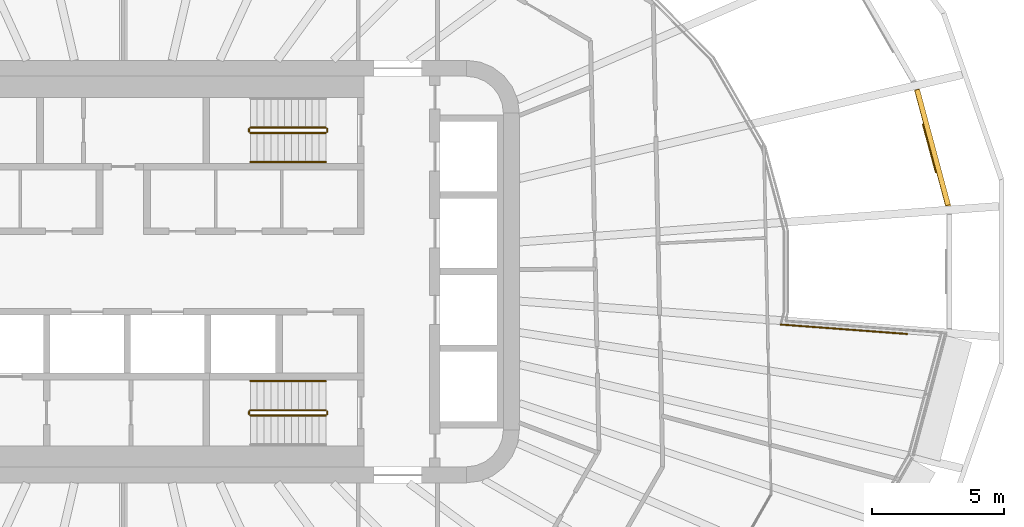
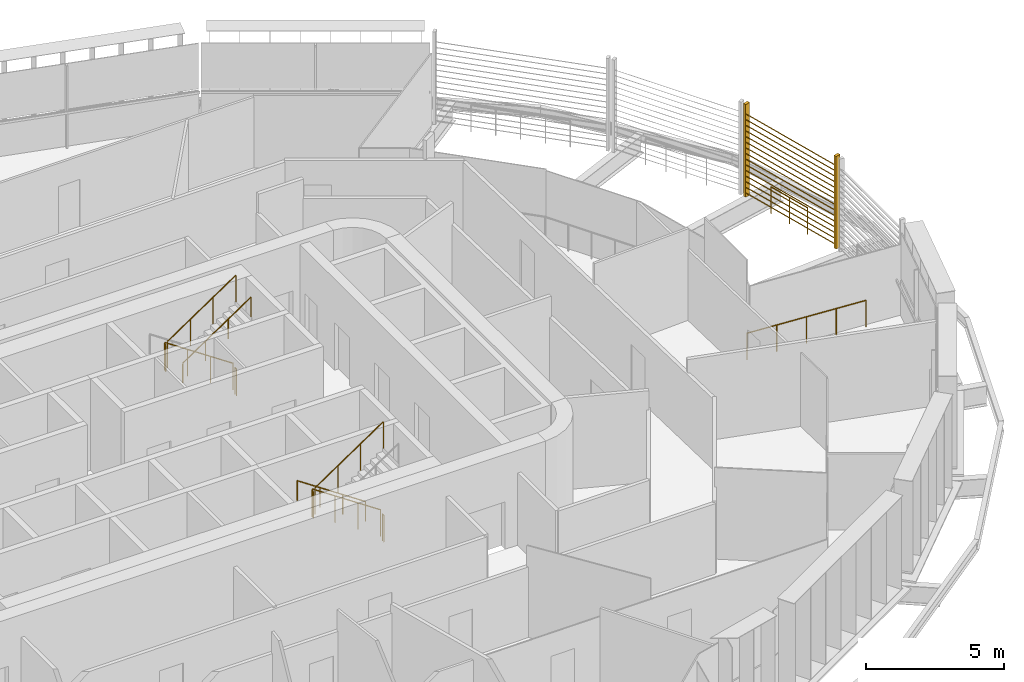
# One storey, part 22 of 24: 12 railings, 1 shading device.
"""IFC4 building model written with IfcOpenShell, lengths in metres."""

from ifc_helpers import new_model, si_unit, direction, frame, origin, origin_2d, place, context, subcontext, project, spatial, rectangle, circle, extrude, material, type_object, element, save


model = new_model("IFC4")

# Units and contexts
model_context = context("Model", 3, precision=1e-05, world=origin(), true_north=direction((0.0, 1.0)))
body_context = subcontext(model_context, "Body", "Model", "MODEL_VIEW")
ifc_project = project(units=[si_unit("LENGTHUNIT", "METRE"), si_unit("AREAUNIT", "SQUARE_METRE"), si_unit("VOLUMEUNIT", "CUBIC_METRE"), si_unit("PLANEANGLEUNIT", "RADIAN"), si_unit("MASSUNIT", "GRAM", prefix="KILO")], contexts=[model_context])

# Site, building, storey
site_placement = place(None, origin())
site = spatial("IfcSite", under=ifc_project, at=site_placement, CompositionType="ELEMENT")
building_placement = place(site_placement, origin())
building = spatial("IfcBuilding", under=site, at=building_placement, Name="Sahrelin Media Tower", CompositionType="ELEMENT")
storey_placement = place(building_placement, frame((0.0, 0.0, 71.39990234375)))
storey = spatial("IfcBuildingStorey", under=building, at=storey_placement, Name="L12", CompositionType="ELEMENT", Elevation=71.39990234375)

# Shading device
ifc_material_1 = material(Name="Champagne anodised aluminium 6063-T6", Category="aluminium")
shading_device_type = type_object("IfcShadingDeviceType", Name="Garden screen", PredefinedType="USERDEFINED", material=ifc_material_1)
shading_device_placement = place(storey_placement, frame((30.54736328125, 4.67333984375, 0.0), z_axis=(0.0, 0.0, 1.0), x_axis=(0.258807731996, -0.965928857556, 0.0)))
element("IfcShadingDevice", 1, at=shading_device_placement, inside=storey, type_object=shading_device_type, Name="L12:SCREEN:L12-01", ObjectType="SCREEN", PredefinedType="USERDEFINED", context=body_context, shape_type="SweptSolid", body=[
    extrude(rectangle(XDim=0.1201171875, YDim=0.199951171875, at=origin_2d()), frame((2.321533203125, 0.10009765625, 0.050048828125), z_axis=(0.0, 0.0, 1.0), x_axis=(1.0, 0.0, 0.0)), (0.0, 0.0, 1.0), 4.099853515625),
    extrude(rectangle(XDim=0.1201171875, YDim=0.199951171875, at=origin_2d()), frame((-2.321533203125, 0.10009765625, 0.050048828125), z_axis=(0.0, 0.0, 1.0), x_axis=(1.0, 0.0, 0.0)), (0.0, 0.0, 1.0), 4.099853515625),
    extrude(rectangle(XDim=0.25, YDim=0.02001953125, at=origin_2d()), frame((2.261474609375, 0.10009765625, 0.14990234375), z_axis=(-1.0, 0.0, 0.0), x_axis=(0.0, -0.766044443119, 0.642787609687)), (0.0, 0.0, 1.0), 4.52294921875),
    extrude(rectangle(XDim=0.25, YDim=0.02001953125, at=origin_2d()), frame((2.261474609375, 0.10009765625, 0.39990234375), z_axis=(-1.0, 0.0, 0.0), x_axis=(0.0, -0.766044443119, 0.642787609687)), (0.0, 0.0, 1.0), 4.52294921875),
    extrude(rectangle(XDim=0.25, YDim=0.02001953125, at=origin_2d()), frame((2.261474609375, 0.10009765625, 0.64990234375), z_axis=(-1.0, 0.0, 0.0), x_axis=(0.0, -0.766044443119, 0.642787609687)), (0.0, 0.0, 1.0), 4.52294921875),
    extrude(rectangle(XDim=0.25, YDim=0.02001953125, at=origin_2d()), frame((2.261474609375, 0.10009765625, 0.89990234375), z_axis=(-1.0, 0.0, 0.0), x_axis=(0.0, -0.766044443119, 0.642787609687)), (0.0, 0.0, 1.0), 4.52294921875),
    extrude(rectangle(XDim=0.25, YDim=0.02001953125, at=origin_2d()), frame((2.261474609375, 0.10009765625, 1.14990234375), z_axis=(-1.0, 0.0, 0.0), x_axis=(0.0, -0.766044443119, 0.642787609687)), (0.0, 0.0, 1.0), 4.52294921875),
    extrude(rectangle(XDim=0.25, YDim=0.02001953125, at=origin_2d()), frame((2.261474609375, 0.10009765625, 1.39990234375), z_axis=(-1.0, 0.0, 0.0), x_axis=(0.0, -0.766044443119, 0.642787609687)), (0.0, 0.0, 1.0), 4.52294921875),
    extrude(rectangle(XDim=0.25, YDim=0.02001953125, at=origin_2d()), frame((2.261474609375, 0.10009765625, 1.64990234375), z_axis=(-1.0, 0.0, 0.0), x_axis=(0.0, -0.766044443119, 0.642787609687)), (0.0, 0.0, 1.0), 4.52294921875),
    extrude(rectangle(XDim=0.25, YDim=0.02001953125, at=origin_2d()), frame((2.261474609375, 0.10009765625, 1.89990234375), z_axis=(-1.0, 0.0, 0.0), x_axis=(0.0, -0.766044443119, 0.642787609687)), (0.0, 0.0, 1.0), 4.52294921875),
    extrude(rectangle(XDim=0.25, YDim=0.02001953125, at=origin_2d()), frame((2.261474609375, 0.10009765625, 2.14990234375), z_axis=(-1.0, 0.0, 0.0), x_axis=(0.0, -0.766044443119, 0.642787609687)), (0.0, 0.0, 1.0), 4.52294921875),
    extrude(rectangle(XDim=0.25, YDim=0.02001953125, at=origin_2d()), frame((2.261474609375, 0.10009765625, 2.39990234375), z_axis=(-1.0, 0.0, 0.0), x_axis=(0.0, -0.766044443119, 0.642787609687)), (0.0, 0.0, 1.0), 4.52294921875),
    extrude(rectangle(XDim=0.25, YDim=0.02001953125, at=origin_2d()), frame((2.261474609375, 0.10009765625, 2.64990234375), z_axis=(-1.0, 0.0, 0.0), x_axis=(0.0, -0.766044443119, 0.642787609687)), (0.0, 0.0, 1.0), 4.52294921875),
    extrude(rectangle(XDim=0.25, YDim=0.02001953125, at=origin_2d()), frame((2.261474609375, 0.10009765625, 2.89990234375), z_axis=(-1.0, 0.0, 0.0), x_axis=(0.0, -0.766044443119, 0.642787609687)), (0.0, 0.0, 1.0), 4.52294921875),
    extrude(rectangle(XDim=0.25, YDim=0.02001953125, at=origin_2d()), frame((2.261474609375, 0.10009765625, 3.14990234375), z_axis=(-1.0, 0.0, 0.0), x_axis=(0.0, -0.766044443119, 0.642787609687)), (0.0, 0.0, 1.0), 4.52294921875),
    extrude(rectangle(XDim=0.25, YDim=0.02001953125, at=origin_2d()), frame((2.261474609375, 0.10009765625, 3.39990234375), z_axis=(-1.0, 0.0, 0.0), x_axis=(0.0, -0.766044443119, 0.642787609687)), (0.0, 0.0, 1.0), 4.52294921875),
    extrude(rectangle(XDim=0.25, YDim=0.02001953125, at=origin_2d()), frame((2.261474609375, 0.10009765625, 3.64990234375), z_axis=(-1.0, 0.0, 0.0), x_axis=(0.0, -0.766044443119, 0.642787609687)), (0.0, 0.0, 1.0), 4.52294921875),
])

# Railings
ifc_material_2 = material(Name="Stainless steel 316", Category="steel")
railing_type_1 = type_object("IfcRailingType", Name="Sky garden guard", PredefinedType="GUARDRAIL", material=ifc_material_2)
railing_1_placement = place(storey_placement, frame((30.283203125, 5.572998046875, 0.0)))
element("IfcRailing", 2, at=railing_1_placement, inside=storey, type_object=railing_type_1, Name="Sky garden void guard G1-4", PredefinedType="GUARDRAIL", context=body_context, shape_type="SweptSolid", body=[
    extrude(circle(Radius=0.02392578125, at=origin_2d()), frame((0.0, 0.0, 1.17578125), z_axis=(0.258731748287, -0.965949213172, 0.0), x_axis=(0.965949213172, 0.258731748287, 0.0)), (0.0, 0.0, 1.0), 1.8759765625),
    extrude(circle(Radius=0.02099609375, at=origin_2d()), origin(), (0.0, 0.0, 1.0), 1.15185546875),
    extrude(circle(Radius=0.02099609375, at=origin_2d()), frame((0.24267578125, -0.906005859375, 0.0)), (0.0, 0.0, 1.0), 1.15185546875),
    extrude(circle(Radius=0.02099609375, at=origin_2d()), frame((0.4853515625, -1.81201171875, 0.0)), (0.0, 0.0, 1.0), 1.15185546875),
])
railing_2_placement = place(storey_placement, frame((29.680419921875, -2.363525390625, 0.0)))
element("IfcRailing", 3, at=railing_2_placement, inside=storey, type_object=railing_type_1, Name="Sky garden void guard G1-6", PredefinedType="GUARDRAIL", context=body_context, shape_type="SweptSolid", body=[
    extrude(circle(Radius=0.02392578125, at=origin_2d()), frame((0.0, 0.0, 1.17578125), z_axis=(-0.997229865925, 0.074381412376, 0.0), x_axis=(-0.074381412376, -0.997229865925, 0.0)), (0.0, 0.0, 1.0), 4.798583984375),
    extrude(circle(Radius=0.02099609375, at=origin_2d()), origin(), (0.0, 0.0, 1.0), 1.15185546875),
    extrude(circle(Radius=0.02099609375, at=origin_2d()), frame((-1.1962890625, 0.08935546875, 0.0)), (0.0, 0.0, 1.0), 1.15185546875),
    extrude(circle(Radius=0.02099609375, at=origin_2d()), frame((-2.392578125, 0.178466796875, 0.0)), (0.0, 0.0, 1.0), 1.15185546875),
    extrude(circle(Radius=0.02099609375, at=origin_2d()), frame((-3.589111328125, 0.267578125, 0.0)), (0.0, 0.0, 1.0), 1.15185546875),
    extrude(circle(Radius=0.02099609375, at=origin_2d()), frame((-4.785400390625, 0.35693359375, 0.0)), (0.0, 0.0, 1.0), 1.15185546875),
])
ifc_material_3 = material(Name="Steel S355", Category="steel")
railing_type_2 = type_object("IfcRailingType", Name="Stair guard 1200", PredefinedType="GUARDRAIL", material=ifc_material_3)
railing_3_placement = place(storey_placement, frame((7.675048828125, 5.449951171875, 0.175048828125)))
element("IfcRailing", 4, at=railing_3_placement, inside=storey, type_object=railing_type_2, Name="L12 ST3 stair guard 1", PredefinedType="GUARDRAIL", context=body_context, shape_type="SweptSolid", body=[
    extrude(circle(Radius=0.02392578125, at=origin_2d()), frame((0.0, 0.0, 1.17578125), z_axis=(-0.829590901723, 0.0, 0.558371682465), x_axis=(0.0, -1.0, 0.0)), (0.0, 0.0, 1.0), 3.447509765625),
    extrude(circle(Radius=0.02099609375, at=origin_2d()), origin(), (0.0, 0.0, 1.0), 1.15185546875),
    extrude(circle(Radius=0.02099609375, at=origin_2d()), frame((-0.953369140625, 0.0, 0.6416015625)), (0.0, 0.0, 1.0), 1.15185546875),
    extrude(circle(Radius=0.02099609375, at=origin_2d()), frame((-1.90673828125, 0.0, 1.283447265625)), (0.0, 0.0, 1.0), 1.15185546875),
    extrude(circle(Radius=0.02099609375, at=origin_2d()), frame((-2.860107421875, 0.0, 1.925048828125)), (0.0, 0.0, 1.0), 1.15185546875),
])
railing_4_placement = place(storey_placement, frame((4.764892578125, 5.39990234375, 2.10009765625)))
element("IfcRailing", 5, at=railing_4_placement, inside=storey, type_object=railing_type_2, Name="L12 ST3 stair guard 2", PredefinedType="GUARDRAIL", context=body_context, shape_type="SweptSolid", body=[
    extrude(circle(Radius=0.02392578125, at=origin_2d()), frame((0.0, 0.0, 1.17578125), z_axis=(0.0, -1.0, 0.0), x_axis=(1.0, 0.0, 0.0)), (0.0, 0.0, 1.0), 0.099853515625),
    extrude(circle(Radius=0.02099609375, at=origin_2d()), origin(), (0.0, 0.0, 1.0), 1.15185546875),
    extrude(circle(Radius=0.02099609375, at=origin_2d()), frame((0.0, -0.099853515625, 0.0)), (0.0, 0.0, 1.0), 1.15185546875),
])
railing_5_placement = place(storey_placement, frame((4.81494140625, 5.25, 2.275146484375)))
element("IfcRailing", 6, at=railing_5_placement, inside=storey, type_object=railing_type_2, Name="L12 ST3 stair guard 3", PredefinedType="GUARDRAIL", context=body_context, shape_type="SweptSolid", body=[
    extrude(circle(Radius=0.02392578125, at=origin_2d()), frame((0.0, 0.0, 1.17578125), z_axis=(0.829590901723, 0.0, 0.558371682465), x_axis=(0.0, 1.0, 0.0)), (0.0, 0.0, 1.0), 3.447509765625),
    extrude(circle(Radius=0.02099609375, at=origin_2d()), origin(), (0.0, 0.0, 1.0), 1.15185546875),
    extrude(circle(Radius=0.02099609375, at=origin_2d()), frame((0.953369140625, 0.0, 0.6416015625)), (0.0, 0.0, 1.0), 1.15185546875),
    extrude(circle(Radius=0.02099609375, at=origin_2d()), frame((1.90673828125, 0.0, 1.283447265625)), (0.0, 0.0, 1.0), 1.15185546875),
    extrude(circle(Radius=0.02099609375, at=origin_2d()), frame((2.860107421875, 0.0, 1.925048828125)), (0.0, 0.0, 1.0), 1.15185546875),
])
railing_6_placement = place(storey_placement, frame((7.72509765625, 5.39990234375, 0.0)))
element("IfcRailing", 7, at=railing_6_placement, inside=storey, type_object=railing_type_2, Name="L12 ST3 stair guard 4", PredefinedType="GUARDRAIL", context=body_context, shape_type="SweptSolid", body=[
    extrude(circle(Radius=0.02392578125, at=origin_2d()), frame((0.0, 0.0, 1.17578125), z_axis=(0.0, -1.0, 0.0), x_axis=(1.0, 0.0, 0.0)), (0.0, 0.0, 1.0), 0.099853515625),
    extrude(circle(Radius=0.02099609375, at=origin_2d()), origin(), (0.0, 0.0, 1.0), 1.15185546875),
    extrude(circle(Radius=0.02099609375, at=origin_2d()), frame((0.0, -0.099853515625, 0.0)), (0.0, 0.0, 1.0), 1.15185546875),
])
railing_7_placement = place(storey_placement, frame((7.675048828125, -5.25, 0.175048828125)))
element("IfcRailing", 8, at=railing_7_placement, inside=storey, type_object=railing_type_2, Name="L12 ST2 stair guard 1", PredefinedType="GUARDRAIL", context=body_context, shape_type="SweptSolid", body=[
    extrude(circle(Radius=0.02392578125, at=origin_2d()), frame((0.0, 0.0, 1.17578125), z_axis=(-0.829590901723, 0.0, 0.558371682465), x_axis=(0.0, -1.0, 0.0)), (0.0, 0.0, 1.0), 3.447509765625),
    extrude(circle(Radius=0.02099609375, at=origin_2d()), origin(), (0.0, 0.0, 1.0), 1.15185546875),
    extrude(circle(Radius=0.02099609375, at=origin_2d()), frame((-0.953369140625, 0.0, 0.6416015625)), (0.0, 0.0, 1.0), 1.15185546875),
    extrude(circle(Radius=0.02099609375, at=origin_2d()), frame((-1.90673828125, 0.0, 1.283447265625)), (0.0, 0.0, 1.0), 1.15185546875),
    extrude(circle(Radius=0.02099609375, at=origin_2d()), frame((-2.860107421875, 0.0, 1.925048828125)), (0.0, 0.0, 1.0), 1.15185546875),
])
railing_8_placement = place(storey_placement, frame((4.764892578125, -5.300048828125, 2.10009765625)))
element("IfcRailing", 9, at=railing_8_placement, inside=storey, type_object=railing_type_2, Name="L12 ST2 stair guard 2", PredefinedType="GUARDRAIL", context=body_context, shape_type="SweptSolid", body=[
    extrude(circle(Radius=0.02392578125, at=origin_2d()), frame((0.0, 0.0, 1.17578125), z_axis=(0.0, -1.0, 0.0), x_axis=(1.0, 0.0, 0.0)), (0.0, 0.0, 1.0), 0.099853515625),
    extrude(circle(Radius=0.02099609375, at=origin_2d()), origin(), (0.0, 0.0, 1.0), 1.15185546875),
    extrude(circle(Radius=0.02099609375, at=origin_2d()), frame((0.0, -0.099853515625, 0.0)), (0.0, 0.0, 1.0), 1.15185546875),
])
railing_9_placement = place(storey_placement, frame((4.81494140625, -5.449951171875, 2.275146484375)))
element("IfcRailing", 10, at=railing_9_placement, inside=storey, type_object=railing_type_2, Name="L12 ST2 stair guard 3", PredefinedType="GUARDRAIL", context=body_context, shape_type="SweptSolid", body=[
    extrude(circle(Radius=0.02392578125, at=origin_2d()), frame((0.0, 0.0, 1.17578125), z_axis=(0.829590901723, 0.0, 0.558371682465), x_axis=(0.0, 1.0, 0.0)), (0.0, 0.0, 1.0), 3.447509765625),
    extrude(circle(Radius=0.02099609375, at=origin_2d()), origin(), (0.0, 0.0, 1.0), 1.15185546875),
    extrude(circle(Radius=0.02099609375, at=origin_2d()), frame((0.953369140625, 0.0, 0.6416015625)), (0.0, 0.0, 1.0), 1.15185546875),
    extrude(circle(Radius=0.02099609375, at=origin_2d()), frame((1.90673828125, 0.0, 1.283447265625)), (0.0, 0.0, 1.0), 1.15185546875),
    extrude(circle(Radius=0.02099609375, at=origin_2d()), frame((2.860107421875, 0.0, 1.925048828125)), (0.0, 0.0, 1.0), 1.15185546875),
])
railing_10_placement = place(storey_placement, frame((7.72509765625, -5.300048828125, 0.0)))
element("IfcRailing", 11, at=railing_10_placement, inside=storey, type_object=railing_type_2, Name="L12 ST2 stair guard 4", PredefinedType="GUARDRAIL", context=body_context, shape_type="SweptSolid", body=[
    extrude(circle(Radius=0.02392578125, at=origin_2d()), frame((0.0, 0.0, 1.17578125), z_axis=(0.0, -1.0, 0.0), x_axis=(1.0, 0.0, 0.0)), (0.0, 0.0, 1.0), 0.099853515625),
    extrude(circle(Radius=0.02099609375, at=origin_2d()), origin(), (0.0, 0.0, 1.0), 1.15185546875),
    extrude(circle(Radius=0.02099609375, at=origin_2d()), frame((0.0, -0.099853515625, 0.0)), (0.0, 0.0, 1.0), 1.15185546875),
])
railing_type_3 = type_object("IfcRailingType", Name="Stair handrail 900", PredefinedType="HANDRAIL", material=ifc_material_3)
railing_11_placement = place(storey_placement, frame((4.81494140625, 4.14990234375, 2.275146484375)))
element("IfcRailing", 12, at=railing_11_placement, inside=storey, type_object=railing_type_3, Name="L12 ST3 stair handrail 2", PredefinedType="HANDRAIL", context=body_context, shape_type="SweptSolid", body=[
    extrude(circle(Radius=0.02392578125, at=origin_2d()), frame((0.0, 0.0, 0.8759765625), z_axis=(0.829590901723, 0.0, 0.558371682465), x_axis=(0.0, 1.0, 0.0)), (0.0, 0.0, 1.0), 3.447509765625),
    extrude(circle(Radius=0.02099609375, at=origin_2d()), origin(), (0.0, 0.0, 1.0), 0.851806640625),
    extrude(circle(Radius=0.02099609375, at=origin_2d()), frame((0.953369140625, 0.0, 0.6416015625)), (0.0, 0.0, 1.0), 0.851806640625),
    extrude(circle(Radius=0.02099609375, at=origin_2d()), frame((1.90673828125, 0.0, 1.283447265625)), (0.0, 0.0, 1.0), 0.851806640625),
    extrude(circle(Radius=0.02099609375, at=origin_2d()), frame((2.860107421875, 0.0, 1.925048828125)), (0.0, 0.0, 1.0), 0.851806640625),
])
railing_12_placement = place(storey_placement, frame((7.675048828125, -4.14990234375, 0.175048828125)))
element("IfcRailing", 13, at=railing_12_placement, inside=storey, type_object=railing_type_3, Name="L12 ST2 stair handrail 1", PredefinedType="HANDRAIL", context=body_context, shape_type="SweptSolid", body=[
    extrude(circle(Radius=0.02392578125, at=origin_2d()), frame((0.0, 0.0, 0.8759765625), z_axis=(-0.829590901723, 0.0, 0.558371682465), x_axis=(0.0, -1.0, 0.0)), (0.0, 0.0, 1.0), 3.447509765625),
    extrude(circle(Radius=0.02099609375, at=origin_2d()), origin(), (0.0, 0.0, 1.0), 0.851806640625),
    extrude(circle(Radius=0.02099609375, at=origin_2d()), frame((-0.953369140625, 0.0, 0.6416015625)), (0.0, 0.0, 1.0), 0.851806640625),
    extrude(circle(Radius=0.02099609375, at=origin_2d()), frame((-1.90673828125, 0.0, 1.283447265625)), (0.0, 0.0, 1.0), 0.851806640625),
    extrude(circle(Radius=0.02099609375, at=origin_2d()), frame((-2.860107421875, 0.0, 1.925048828125)), (0.0, 0.0, 1.0), 0.851806640625),
])

save(model, "model.ifc")
